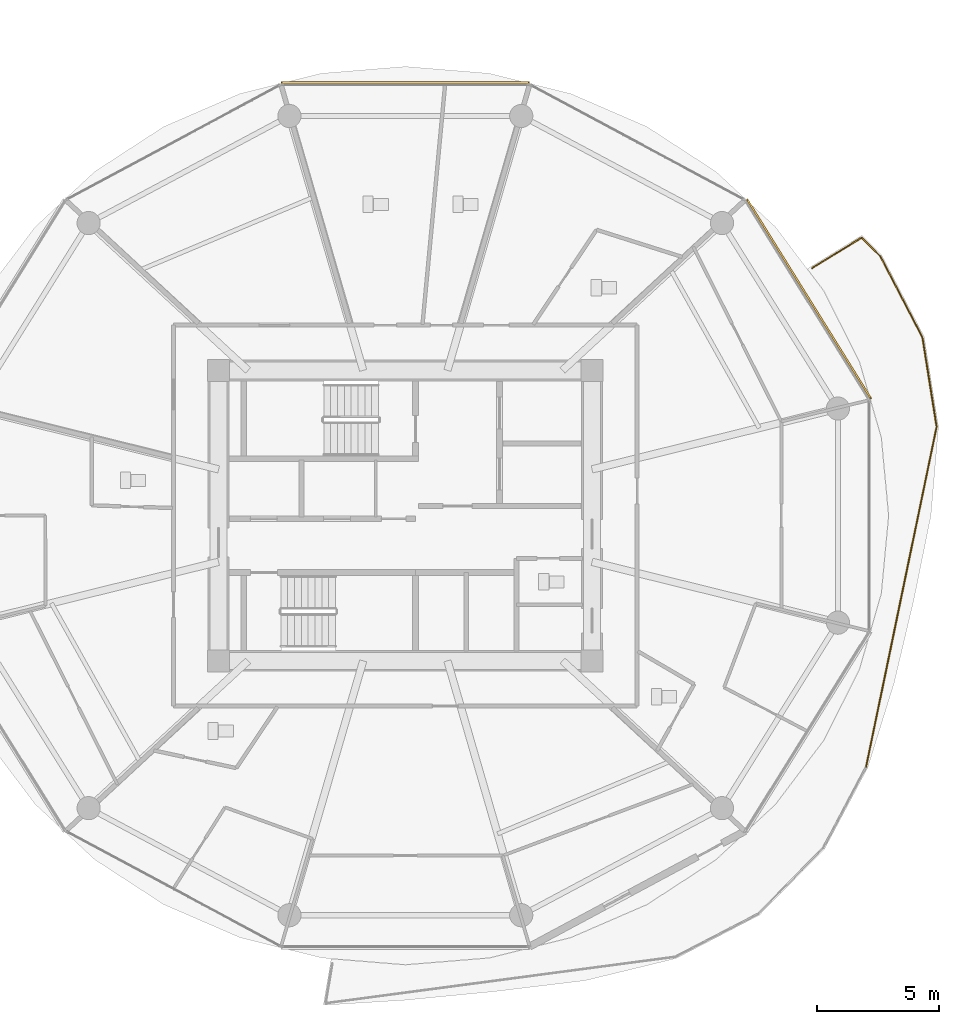
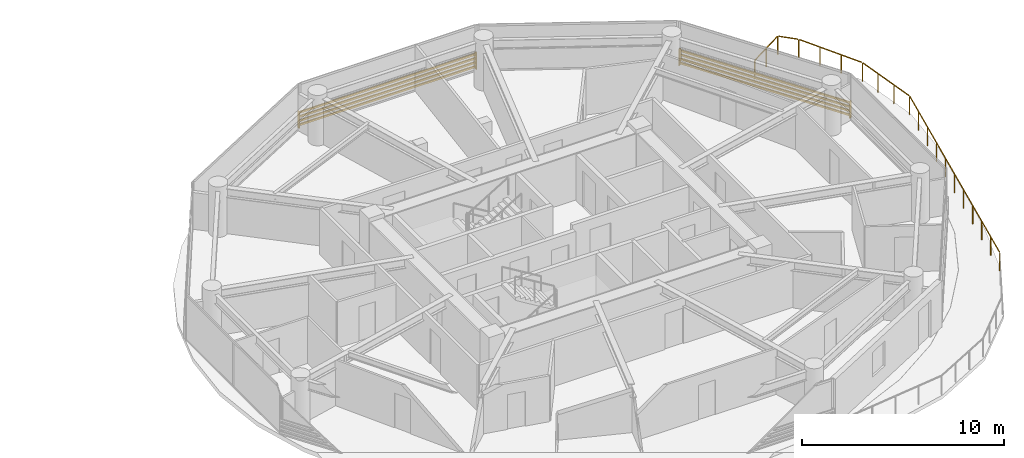
# One storey, part 26 of 27: 2 shading devices, 1 railing.
"""IFC4 building model written with IfcOpenShell, lengths in metres."""

from ifc_helpers import new_model, si_unit, direction, frame, origin, origin_2d, place, context, subcontext, project, spatial, rectangle, extrude, source, transform, mapped, material, type_object, type_shapes, element, save


model = new_model("IFC4")

# Units and contexts
model_context = context("Model", 3, precision=1e-05, world=origin(), true_north=direction((0.0, 1.0)))
body_context = subcontext(model_context, "Body", "Model", "MODEL_VIEW")
ifc_project = project(units=[si_unit("LENGTHUNIT", "METRE"), si_unit("AREAUNIT", "SQUARE_METRE"), si_unit("VOLUMEUNIT", "CUBIC_METRE"), si_unit("PLANEANGLEUNIT", "RADIAN"), si_unit("MASSUNIT", "GRAM", prefix="KILO")], contexts=[model_context])

# Site, building, storey
site_placement = place(None, origin())
site = spatial("IfcSite", under=ifc_project, at=site_placement, CompositionType="ELEMENT")
building_placement = place(site_placement, origin())
building = spatial("IfcBuilding", under=site, at=building_placement, Name="Norrkilde Senior Care Towers", CompositionType="ELEMENT")
storey_placement = place(building_placement, frame((0.0, 0.0, 36.85009765625)))
storey = spatial("IfcBuildingStorey", under=building, at=storey_placement, Name="L10", CompositionType="ELEMENT", Elevation=36.85009765625)

# Railing
ifc_material_1 = material(Name="Anodised Aluminium", Category="aluminium")
railing_type = type_object("IfcRailingType", Name="Balcony Swirl Ribbon Guardrail 1150", PredefinedType="GUARDRAIL", material=ifc_material_1)
railing_placement = place(storey_placement, frame((44.6640625, 10.140625, 0.0)))
element("IfcRailing", 1, at=railing_placement, inside=storey, type_object=railing_type, Name="L10 Perimeter Safety Guard 02", PredefinedType="GUARDRAIL", context=body_context, shape_type="SweptSolid", body=[
    extrude(rectangle(XDim=0.048095703125, YDim=0.048095703125, at=origin_2d()), frame((0.0, 0.0, 1.1259765625), z_axis=(0.852111895186, 0.523359645065, 0.0), x_axis=(-0.523359645065, 0.852111895186, 0.0)), (0.0, 0.0, 1.0), 2.341552734375),
    extrude(rectangle(XDim=0.048095703125, YDim=0.048095703125, at=origin_2d()), frame((2.05908203125, 1.218017578125, 1.1259765625), z_axis=(0.70869196254, -0.705518038204, 0.0), x_axis=(0.705518038204, 0.70869196254, 0.0)), (0.0, 0.0, 1.0), 0.9951171875),
    extrude(rectangle(XDim=0.048095703125, YDim=0.048095703125, at=origin_2d()), frame((2.81201171875, 0.45068359375, 1.1259765625), z_axis=(0.461870273063, -0.886947490475, 0.0), x_axis=(0.886947490475, 0.461870273063, 0.0)), (0.0, 0.0, 1.0), 3.66064453125),
    extrude(rectangle(XDim=0.048095703125, YDim=0.048095703125, at=origin_2d()), frame((4.528076171875, -2.87255859375, 1.1259765625), z_axis=(0.15635050814, -0.987701634404, 0.0), x_axis=(0.987701634404, 0.15635050814, 0.0)), (0.0, 0.0, 1.0), 3.634521484375),
    extrude(rectangle(XDim=0.048095703125, YDim=0.048095703125, at=origin_2d()), frame((5.094482421875, -6.54296875, 1.1259765625), z_axis=(-0.203075505245, -0.979163080988, 0.0), x_axis=(0.979163080988, -0.203075505245, 0.0)), (0.0, 0.0, 1.0), 14.183837890625),
    extrude(rectangle(XDim=0.0419921875, YDim=0.0419921875, at=origin_2d()), origin(), (0.0, 0.0, 1.0), 1.099853515625),
    extrude(rectangle(XDim=0.0419921875, YDim=0.0419921875, at=origin_2d()), frame((1.01513671875, 0.62353515625, 0.0)), (0.0, 0.0, 1.0), 1.099853515625),
    extrude(rectangle(XDim=0.0419921875, YDim=0.0419921875, at=origin_2d()), frame((2.030029296875, 1.246826171875, 0.0)), (0.0, 0.0, 1.0), 1.099853515625),
    extrude(rectangle(XDim=0.0419921875, YDim=0.0419921875, at=origin_2d()), frame((2.793212890625, 0.487060546875, 0.0)), (0.0, 0.0, 1.0), 1.099853515625),
    extrude(rectangle(XDim=0.0419921875, YDim=0.0419921875, at=origin_2d()), frame((3.369384765625, -0.619384765625, 0.0)), (0.0, 0.0, 1.0), 1.099853515625),
    extrude(rectangle(XDim=0.0419921875, YDim=0.0419921875, at=origin_2d()), frame((3.945556640625, -1.725830078125, 0.0)), (0.0, 0.0, 1.0), 1.099853515625),
    extrude(rectangle(XDim=0.0419921875, YDim=0.0419921875, at=origin_2d()), frame((4.521728515625, -2.832275390625, 0.0)), (0.0, 0.0, 1.0), 1.099853515625),
    extrude(rectangle(XDim=0.0419921875, YDim=0.0419921875, at=origin_2d()), frame((4.71533203125, -4.055908203125, 0.0)), (0.0, 0.0, 1.0), 1.099853515625),
    extrude(rectangle(XDim=0.0419921875, YDim=0.0419921875, at=origin_2d()), frame((4.9091796875, -5.279296875, 0.0)), (0.0, 0.0, 1.0), 1.099853515625),
    extrude(rectangle(XDim=0.0419921875, YDim=0.0419921875, at=origin_2d()), frame((5.102783203125, -6.5029296875, 0.0)), (0.0, 0.0, 1.0), 1.099853515625),
    extrude(rectangle(XDim=0.0419921875, YDim=0.0419921875, at=origin_2d()), frame((4.81396484375, -7.895751953125, 0.0)), (0.0, 0.0, 1.0), 1.099853515625),
    extrude(rectangle(XDim=0.0419921875, YDim=0.0419921875, at=origin_2d()), frame((4.525146484375, -9.28857421875, 0.0)), (0.0, 0.0, 1.0), 1.099853515625),
    extrude(rectangle(XDim=0.0419921875, YDim=0.0419921875, at=origin_2d()), frame((4.236083984375, -10.681396484375, 0.0)), (0.0, 0.0, 1.0), 1.099853515625),
    extrude(rectangle(XDim=0.0419921875, YDim=0.0419921875, at=origin_2d()), frame((3.947265625, -12.07421875, 0.0)), (0.0, 0.0, 1.0), 1.099853515625),
    extrude(rectangle(XDim=0.0419921875, YDim=0.0419921875, at=origin_2d()), frame((3.658447265625, -13.467041015625, 0.0)), (0.0, 0.0, 1.0), 1.099853515625),
    extrude(rectangle(XDim=0.0419921875, YDim=0.0419921875, at=origin_2d()), frame((3.36962890625, -14.85986328125, 0.0)), (0.0, 0.0, 1.0), 1.099853515625),
    extrude(rectangle(XDim=0.0419921875, YDim=0.0419921875, at=origin_2d()), frame((3.080810546875, -16.252685546875, 0.0)), (0.0, 0.0, 1.0), 1.099853515625),
    extrude(rectangle(XDim=0.0419921875, YDim=0.0419921875, at=origin_2d()), frame((2.791748046875, -17.6455078125, 0.0)), (0.0, 0.0, 1.0), 1.099853515625),
    extrude(rectangle(XDim=0.0419921875, YDim=0.0419921875, at=origin_2d()), frame((2.5029296875, -19.038330078125, 0.0)), (0.0, 0.0, 1.0), 1.099853515625),
    extrude(rectangle(XDim=0.0419921875, YDim=0.0419921875, at=origin_2d()), frame((2.214111328125, -20.43115234375, 0.0)), (0.0, 0.0, 1.0), 1.099853515625),
])

# Shading devices
ifc_material_2 = material(Name="Architectural Terracotta", Category="masonry")
shading_device_type = type_object("IfcShadingDeviceType", Name="Horizontal Terracotta Baguette Rack", PredefinedType="USERDEFINED", material=ifc_material_2)
shared_shape_1 = source(origin(), body_context, "Body", "SweptSolid", [
    extrude(rectangle(XDim=0.070068359375, YDim=0.110107421875, at=origin_2d()), frame((0.0, 0.090087890625, 0.125), z_axis=(1.0, 0.0, 0.0), x_axis=(0.0, 1.0, 0.0)), (0.0, 0.0, 1.0), 9.64892578125),
    extrude(rectangle(XDim=0.070068359375, YDim=0.110107421875, at=origin_2d()), frame((0.0, 0.090087890625, 0.375), z_axis=(1.0, 0.0, 0.0), x_axis=(0.0, 1.0, 0.0)), (0.0, 0.0, 1.0), 9.64892578125),
    extrude(rectangle(XDim=0.070068359375, YDim=0.110107421875, at=origin_2d()), frame((0.0, 0.090087890625, 0.625), z_axis=(1.0, 0.0, 0.0), x_axis=(0.0, 1.0, 0.0)), (0.0, 0.0, 1.0), 9.64892578125),
    extrude(rectangle(XDim=0.070068359375, YDim=0.110107421875, at=origin_2d()), frame((0.0, 0.090087890625, 0.875), z_axis=(1.0, 0.0, 0.0), x_axis=(0.0, 1.0, 0.0)), (0.0, 0.0, 1.0), 9.64892578125),
    extrude(rectangle(XDim=0.050048828125, YDim=0.1552734375, at=origin_2d()), frame((0.02490234375, 0.047607421875, 0.0)), (0.0, 0.0, 1.0), 1.0),
    extrude(rectangle(XDim=0.050048828125, YDim=0.1552734375, at=origin_2d()), frame((9.6240234375, 0.047607421875, 0.0)), (0.0, 0.0, 1.0), 1.0),
])
shading_device_1_placement = place(storey_placement, frame((41.915771484375, 12.926025390625, 0.079833984375), z_axis=(0.0, 0.0, 1.0), x_axis=(0.527908506655, -0.849299124538, 0.0)))
element("IfcShadingDevice", 2, at=shading_device_1_placement, inside=storey, type_object=shading_device_type, Name="L10 Drum E Terracotta Baguette Screen 00", ObjectType="BAGUETTE", PredefinedType="USERDEFINED", context=body_context, shape_type="MappedRepresentation", body=[
    mapped(shared_shape_1, transform((0.0, 0.0, 0.0), x_axis=(1.0, 0.0, 0.0), y_axis=(0.0, 1.0, 0.0), z_axis=(0.0, 0.0, 1.0), scale=1.0)),
])
shared_shape_2 = source(origin(), body_context, "Body", "SweptSolid", [
    extrude(rectangle(XDim=0.070068359375, YDim=0.110107421875, at=origin_2d()), frame((0.0, 0.090087890625, 0.125), z_axis=(1.0, 0.0, 0.0), x_axis=(0.0, 1.0, 0.0)), (0.0, 0.0, 1.0), 10.18701171875),
    extrude(rectangle(XDim=0.070068359375, YDim=0.110107421875, at=origin_2d()), frame((0.0, 0.090087890625, 0.375), z_axis=(1.0, 0.0, 0.0), x_axis=(0.0, 1.0, 0.0)), (0.0, 0.0, 1.0), 10.18701171875),
    extrude(rectangle(XDim=0.070068359375, YDim=0.110107421875, at=origin_2d()), frame((0.0, 0.090087890625, 0.625), z_axis=(1.0, 0.0, 0.0), x_axis=(0.0, 1.0, 0.0)), (0.0, 0.0, 1.0), 10.18701171875),
    extrude(rectangle(XDim=0.070068359375, YDim=0.110107421875, at=origin_2d()), frame((0.0, 0.090087890625, 0.875), z_axis=(1.0, 0.0, 0.0), x_axis=(0.0, 1.0, 0.0)), (0.0, 0.0, 1.0), 10.18701171875),
    extrude(rectangle(XDim=0.050048828125, YDim=0.1552734375, at=origin_2d()), frame((0.02490234375, 0.047607421875, 0.0)), (0.0, 0.0, 1.0), 1.0),
    extrude(rectangle(XDim=0.050048828125, YDim=0.1552734375, at=origin_2d()), frame((10.162109375, 0.047607421875, 0.0)), (0.0, 0.0, 1.0), 1.0),
])
type_shapes(shading_device_type, [shared_shape_1, shared_shape_2])
shading_device_2_placement = place(storey_placement, frame((22.906494140625, 17.6572265625, 0.079833984375), z_axis=(0.0, 0.0, 1.0), x_axis=(1.0, 0.0, 0.0)))
element("IfcShadingDevice", 3, at=shading_device_2_placement, inside=storey, type_object=shading_device_type, Name="L10 Drum E Terracotta Baguette Screen 02", ObjectType="BAGUETTE", PredefinedType="USERDEFINED", context=body_context, shape_type="MappedRepresentation", body=[
    mapped(shared_shape_2, transform((0.0, 0.0, 0.0), x_axis=(1.0, 0.0, 0.0), y_axis=(0.0, 1.0, 0.0), z_axis=(0.0, 0.0, 1.0), scale=1.0)),
])

save(model, "model.ifc")
